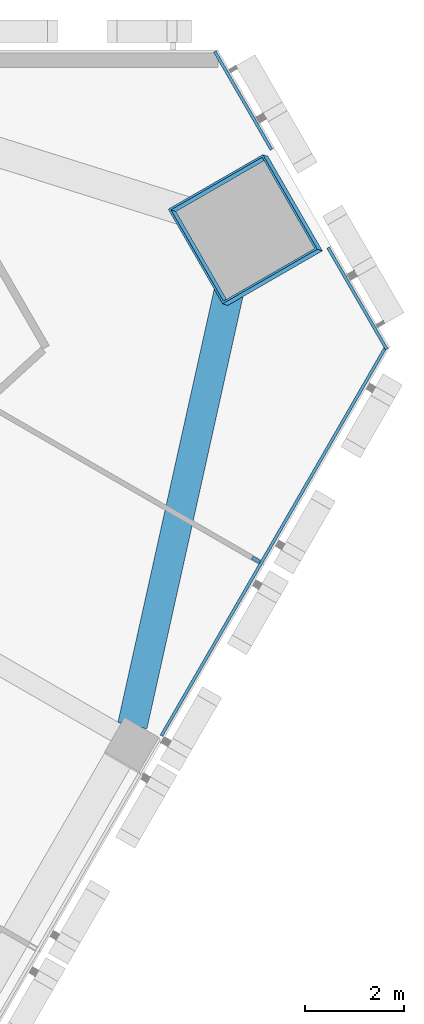
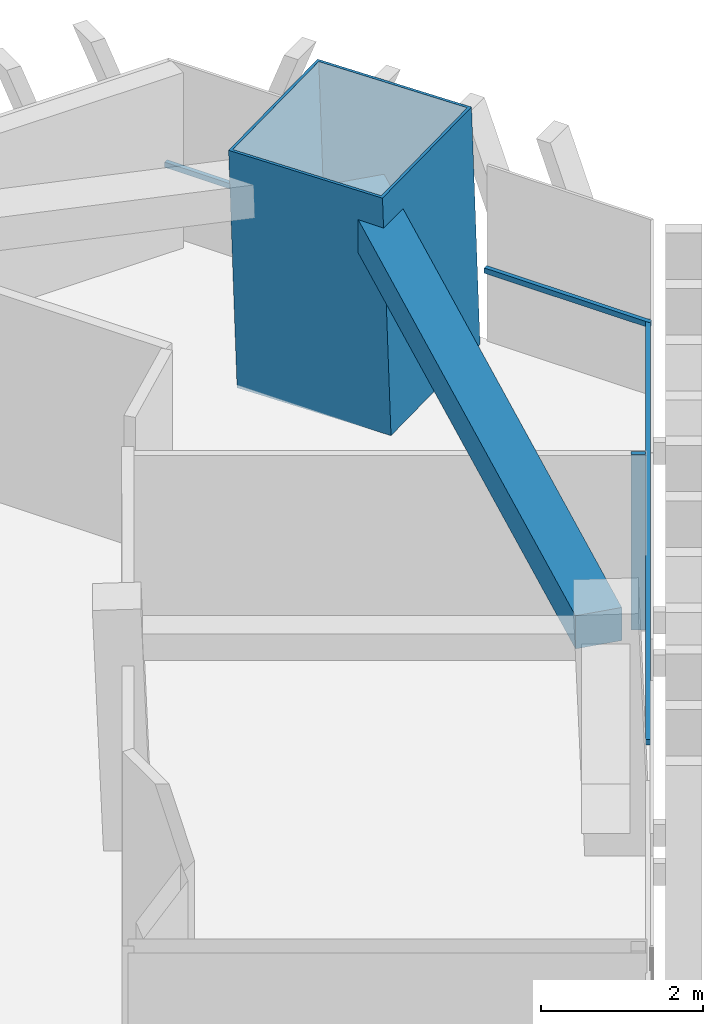
# One storey, part 7 of 15: 5 members, 1 beam, 2 elements without a shape of their own.
"""IFC4 building model written with IfcOpenShell, lengths in metres."""

from ifc_helpers import new_model, si_unit, direction, frame, origin, origin_2d, place, context, subcontext, project, spatial, rectangle, hollow_rectangle, extrude, material, layer, layer_set, material_profile, profile_set, type_object, element, aggregate, save


model = new_model("IFC4")

# Units and contexts
model_context = context("Model", 3, precision=1e-05, world=origin(), true_north=direction((0.0, 1.0)))
body_context = subcontext(model_context, "Body", "Model", "MODEL_VIEW")
ifc_project = project(units=[si_unit("LENGTHUNIT", "METRE"), si_unit("AREAUNIT", "SQUARE_METRE"), si_unit("VOLUMEUNIT", "CUBIC_METRE"), si_unit("PLANEANGLEUNIT", "RADIAN"), si_unit("MASSUNIT", "GRAM", prefix="KILO")], contexts=[model_context])

# Site, building, storey
site_placement = place(None, origin())
site = spatial("IfcSite", under=ifc_project, at=site_placement, CompositionType="ELEMENT")
building_placement = place(site_placement, origin())
building = spatial("IfcBuilding", under=site, at=building_placement, Name="Altiplano Prism Tower", CompositionType="ELEMENT")
storey_placement = place(building_placement, frame((0.0, 0.0, 171.0)))
storey = spatial("IfcBuildingStorey", under=building, at=storey_placement, Name="L44", CompositionType="ELEMENT", Elevation=171.0)

# Curtain wall, members
ifc_material_1 = material(Name="Aluminium and glass", Category="aluminium")
ifc_layer = layer(ifc_material_1, 0.280029296875)
ifc_layer_set = layer_set([ifc_layer], Name="Aluminium and glass")
curtain_wall_type = type_object("IfcCurtainWallType", Name="CW1 typical co-living unitised curtain wall", PredefinedType="NOTDEFINED", material=ifc_layer_set)
curtain_wall_1_placement = place(storey_placement, origin())
curtain_wall_1 = element("IfcCurtainWall", 1, at=curtain_wall_1_placement, inside=storey, type_object=curtain_wall_type, Name="CW1 curtain wall south-east face L44", PredefinedType="NOTDEFINED")
ifc_material_2 = material(Name="Aluminium", Category="aluminium")
ifc_material_profile_1 = material_profile(ifc_material_2, rectangle(XDim=0.179931640625, YDim=0.06494140625, at=origin_2d()), Name="CW1 mullion 65 x 180")
ifc_profile_set_1 = profile_set([ifc_material_profile_1], Name="Aluminium")
member_type_1 = type_object("IfcMemberType", Name="CW1 mullion 65 x 180", PredefinedType="MULLION", material=ifc_profile_set_1)
member_1_placement = place(storey_placement, frame((108.822509765625, 94.725341796875, 0.0), z_axis=(0.0, 0.0, 1.0), x_axis=(-0.866025408191, 0.499999992367, 0.0)))
member_1 = element("IfcMember", 2, at=member_1_placement, type_object=member_type_1, Name="CW1 mullion", PredefinedType="MULLION", context=body_context, shape_type="SweptSolid", body=[
    extrude(rectangle(XDim=0.179931640625, YDim=0.06494140625, at=origin_2d()), origin(), (0.0, 0.0, 1.0), 2.64990234375),
])
ifc_material_profile_2 = material_profile(ifc_material_2, rectangle(XDim=0.06005859375, YDim=0.080078125, at=origin_2d()), Name="CW1 transom 80 x 60")
ifc_profile_set_2 = profile_set([ifc_material_profile_2], Name="Aluminium")
member_type_2 = type_object("IfcMemberType", Name="CW1 transom 80 x 60", PredefinedType="USERDEFINED", material=ifc_profile_set_2)
member_2_placement = place(storey_placement, frame((106.916015625, 91.183349609375, 1.10009765625), z_axis=(0.499999628393, 0.866025618332, 0.0), x_axis=(-0.866025618332, 0.499999628393, 0.0)))
member_2 = element("IfcMember", 3, at=member_2_placement, type_object=member_type_2, Name="CW1 transom", ObjectType="TRANSOM", PredefinedType="USERDEFINED", context=body_context, shape_type="SweptSolid", body=[
    extrude(rectangle(XDim=0.06005859375, YDim=0.080078125, at=origin_2d()), origin(), (0.0, 0.0, 1.0), 9.0732421875),
])
aggregate(curtain_wall_1, [member_1, member_2])

curtain_wall_2_placement = place(storey_placement, origin())
curtain_wall_2 = element("IfcCurtainWall", 4, at=curtain_wall_2_placement, inside=storey, type_object=curtain_wall_type, Name="CW1 curtain wall north-east chamfer L44", PredefinedType="NOTDEFINED")
member_3_placement = place(storey_placement, frame((111.45263671875, 98.970947265625, 1.10009765625), z_axis=(-0.499943285704, 0.866058145322, 0.0), x_axis=(-0.866058145322, -0.499943285704, 0.0)))
member_3 = element("IfcMember", 5, at=member_3_placement, type_object=member_type_2, Name="CW1 transom", ObjectType="TRANSOM", PredefinedType="USERDEFINED", context=body_context, shape_type="SweptSolid", body=[
    extrude(rectangle(XDim=0.06005859375, YDim=0.080078125, at=origin_2d()), origin(), (0.0, 0.0, 1.0), 2.360595703125),
])
member_4_placement = place(storey_placement, frame((109.13232421875, 102.989990234375, 1.10009765625), z_axis=(-0.499938683108, 0.866060802215, 0.0), x_axis=(-0.866060802215, -0.499938683108, 0.0)))
member_4 = element("IfcMember", 6, at=member_4_placement, type_object=member_type_2, Name="CW1 transom", ObjectType="TRANSOM", PredefinedType="USERDEFINED", context=body_context, shape_type="SweptSolid", body=[
    extrude(rectangle(XDim=0.06005859375, YDim=0.080078125, at=origin_2d()), origin(), (0.0, 0.0, 1.0), 2.280517578125),
])
aggregate(curtain_wall_2, [member_3, member_4])

# Beam
ifc_material_3 = material(Name="Concrete C60/75", Category="concrete")
ifc_material_profile_3 = material_profile(ifc_material_3, rectangle(XDim=0.60009765625, YDim=0.5, at=origin_2d()), Name="Edge beam 600x500")
ifc_profile_set_3 = profile_set([ifc_material_profile_3], Name="Concrete C60/75")
beam_type = type_object("IfcBeamType", Name="Edge beam 600x500", PredefinedType="SPANDREL", material=ifc_profile_set_3)
beam_placement = place(storey_placement, frame((106.332275390625, 91.388916015625, 2.89990234375), z_axis=(0.217025499316, 0.976165934996, 0.0), x_axis=(-0.976165934996, 0.217025499316, 0.0)))
element("IfcBeam", 7, at=beam_placement, inside=storey, type_object=beam_type, Name="Edge beam P24-M2 L45", PredefinedType="SPANDREL", context=body_context, shape_type="SweptSolid", body=[
    extrude(rectangle(XDim=0.60009765625, YDim=0.5, at=origin_2d()), origin(), (0.0, 0.0, 1.0), 9.79150390625),
])

# Member
ifc_material_4 = material(Name="Steel S460", Category="steel")
ifc_material_profile_4 = material_profile(ifc_material_4, hollow_rectangle(XDim=2.199951171875, YDim=2.199951171875, WallThickness=0.0400390625, at=origin_2d()), Name="Mega column tube 2200")
ifc_profile_set_4 = profile_set([ifc_material_profile_4], Name="Steel S460")
member_type_3 = type_object("IfcMemberType", Name="Mega column tube 2200", PredefinedType="POST", material=ifc_profile_set_4)
member_5_placement = place(storey_placement, frame((108.6572265625, 101.35302734375, 0.0), z_axis=(-0.028401796786, 0.009286506348, 0.999553449666), x_axis=(0.498881183205, -0.866385379601, 0.022224739778)))
element("IfcMember", 8, at=member_5_placement, inside=storey, type_object=member_type_3, Name="Mega column tube M2 L44", PredefinedType="POST", context=body_context, shape_type="SweptSolid", body=[
    extrude(hollow_rectangle(XDim=2.199951171875, YDim=2.199951171875, WallThickness=0.0400390625, at=origin_2d()), origin(), (0.0, 0.0, 1.0), 3.601806640625),
])

save(model, "model.ifc")
